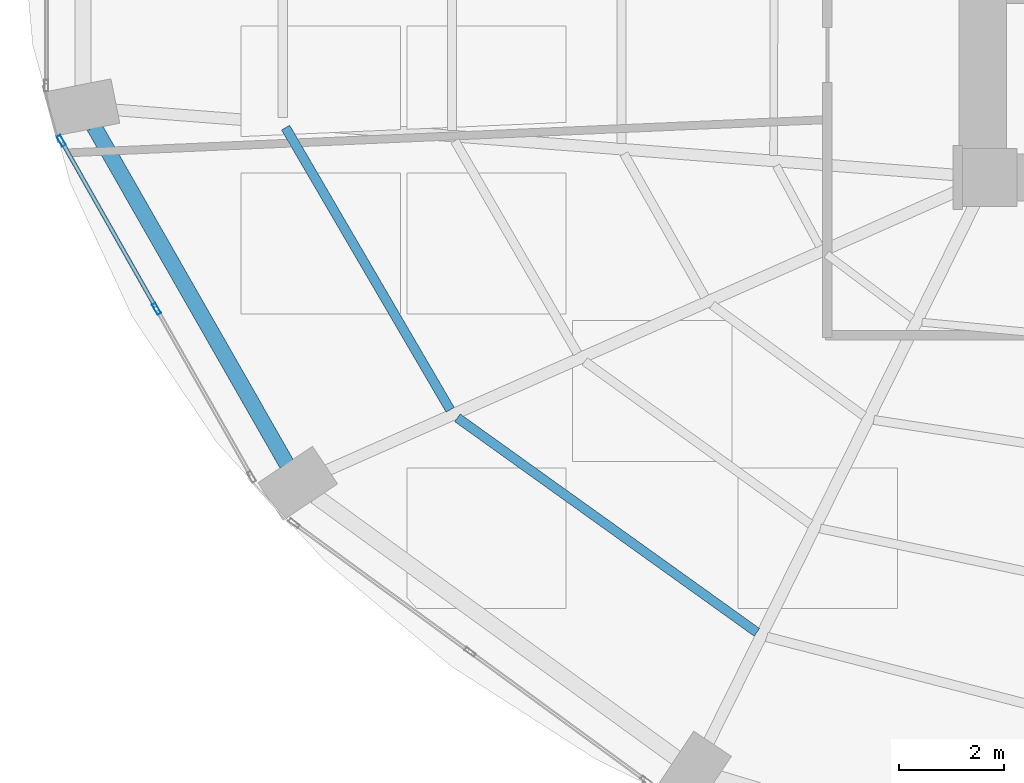
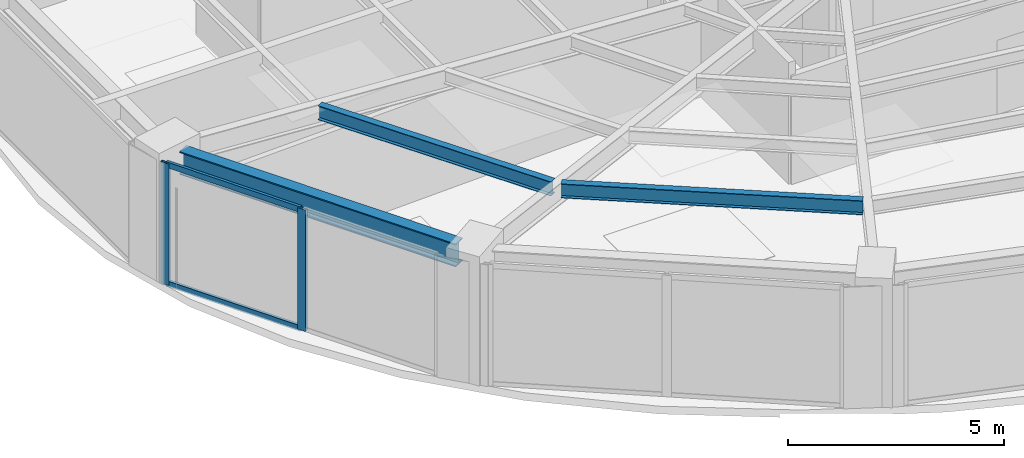
# One storey, part 3 of 24: 4 members, 3 beams, 1 element without a shape of its own.
"""IFC4 building model written with IfcOpenShell, lengths in metres."""

from ifc_helpers import new_model, si_unit, direction, frame, origin, origin_2d, place, context, subcontext, project, spatial, hollow_rectangle, i_section, extrude, material, layer, layer_set, material_profile, profile_set, type_object, element, aggregate, save


model = new_model("IFC4")

# Units and contexts
model_context = context("Model", 3, precision=1e-05, world=origin(), true_north=direction((0.0, 1.0)))
body_context = subcontext(model_context, "Body", "Model", "MODEL_VIEW")
ifc_project = project(units=[si_unit("LENGTHUNIT", "METRE"), si_unit("AREAUNIT", "SQUARE_METRE"), si_unit("VOLUMEUNIT", "CUBIC_METRE"), si_unit("PLANEANGLEUNIT", "RADIAN"), si_unit("MASSUNIT", "GRAM", prefix="KILO")], contexts=[model_context])

# Site, building, storey
site_placement = place(None, origin())
site = spatial("IfcSite", under=ifc_project, at=site_placement, CompositionType="ELEMENT")
building_placement = place(site_placement, origin())
building = spatial("IfcBuilding", under=site, at=building_placement, Name="Lazwardi Medical Tower", CompositionType="ELEMENT")
storey_placement = place(building_placement, frame((0.0, 0.0, 36.14404296875)))
storey = spatial("IfcBuildingStorey", under=building, at=storey_placement, Name="L08", CompositionType="ELEMENT", Elevation=36.14404296875)

# Beams
ifc_material_1 = material(Name="Steel S355", Category="steel")
ifc_material_profile_1 = material_profile(ifc_material_1, i_section(OverallWidth=0.300048828125, OverallDepth=0.64990234375, WebThickness=0.01611328125, FlangeThickness=0.031005859375, at=origin_2d()), Name="HEB 650")
ifc_profile_set_1 = profile_set([ifc_material_profile_1], Name="Steel S355")
beam_type_1 = type_object("IfcBeamType", Name="BM-RB-Z1", PredefinedType="BEAM", material=ifc_profile_set_1)
beam_1_placement = place(storey_placement, frame((9.408203125, 21.36767578125, 3.10302734375), z_axis=(0.49581512241, -0.868428099724, 0.0), x_axis=(0.868428099724, 0.49581512241, 0.0)))
element("IfcBeam", 1, at=beam_1_placement, inside=storey, type_object=beam_type_1, Name="Ring beam RB-02 B13 L08", PredefinedType="BEAM", context=body_context, shape_type="SweptSolid", body=[
    extrude(i_section(OverallWidth=0.300048828125, OverallDepth=0.64990234375, WebThickness=0.01611328125, FlangeThickness=0.031005859375, at=origin_2d()), origin(), (0.0, 0.0, 1.0), 7.389404296875),
])
ifc_material_profile_2 = material_profile(ifc_material_1, i_section(OverallWidth=0.179931640625, OverallDepth=0.39990234375, WebThickness=0.008544921875, FlangeThickness=0.013427734375, at=origin_2d()), Name="IPE 400")
ifc_profile_set_2 = profile_set([ifc_material_profile_2], Name="Steel S355")
beam_type_2 = type_object("IfcBeamType", Name="BM-SJ-01", PredefinedType="JOIST", material=ifc_profile_set_2)
beam_2_placement = place(storey_placement, frame((13.048828125, 21.34765625, 3.22802734375), z_axis=(0.503846579557, -0.863793160582, 0.0), x_axis=(0.863793160582, 0.503846579557, 0.0)))
element("IfcBeam", 2, at=beam_2_placement, inside=storey, type_object=beam_type_2, Name="Secondary joist SJ-01 R1 B13 L08", PredefinedType="JOIST", context=body_context, shape_type="SweptSolid", body=[
    extrude(i_section(OverallWidth=0.179931640625, OverallDepth=0.39990234375, WebThickness=0.008544921875, FlangeThickness=0.013427734375, at=origin_2d()), origin(), (0.0, 0.0, 1.0), 6.20947265625),
])
beam_3_placement = place(storey_placement, frame((16.31591796875, 15.83203125, 3.22802734375), z_axis=(0.812901036873, -0.582401840872, 0.0), x_axis=(0.582401840872, 0.812901036873, 0.0)))
element("IfcBeam", 3, at=beam_3_placement, inside=storey, type_object=beam_type_2, Name="Secondary joist SJ-01 R1 B14 L08", PredefinedType="JOIST", context=body_context, shape_type="SweptSolid", body=[
    extrude(i_section(OverallWidth=0.179931640625, OverallDepth=0.39990234375, WebThickness=0.008544921875, FlangeThickness=0.013427734375, at=origin_2d()), origin(), (0.0, 0.0, 1.0), 7.002197265625),
])

# Curtain wall, members
ifc_material_2 = material(Name="Anodised bronze aluminium and solar control glazing", Category="aluminium")
ifc_layer = layer(ifc_material_2, 0.199951171875)
ifc_layer_set = layer_set([ifc_layer], Name="Anodised bronze aluminium and solar control glazing")
curtain_wall_type = type_object("IfcCurtainWallType", Name="CW-SYS-02", PredefinedType="NOTDEFINED", material=ifc_layer_set)
curtain_wall_placement = place(storey_placement, origin())
curtain_wall = element("IfcCurtainWall", 4, at=curtain_wall_placement, inside=storey, type_object=curtain_wall_type, Name="L08 Unitised bronze curtain wall CW-02", PredefinedType="NOTDEFINED")
ifc_material_3 = material(Name="Anodised bronze aluminium", Category="aluminium")
ifc_material_profile_3 = material_profile(ifc_material_3, hollow_rectangle(XDim=0.074951171875, YDim=0.219970703125, WallThickness=0.00390625, at=origin_2d()), Name="ALU-MULLION 220x75x4")
ifc_profile_set_3 = profile_set([ifc_material_profile_3], Name="Anodised bronze aluminium")
member_type_1 = type_object("IfcMemberType", Name="CW-MUL-01", PredefinedType="MULLION", material=ifc_profile_set_3)
member_1_placement = place(storey_placement, frame((8.785888671875, 21.09765625, 0.0), z_axis=(0.0, 0.0, 1.0), x_axis=(0.870111838823, 0.492854327303, 0.0)))
member_1 = element("IfcMember", 5, at=member_1_placement, type_object=member_type_1, Name="CW-02 mullion 1", PredefinedType="MULLION", context=body_context, shape_type="SweptSolid", body=[
    extrude(hollow_rectangle(XDim=0.074951171875, YDim=0.219970703125, WallThickness=0.00390625, at=origin_2d()), origin(), (0.0, 0.0, 1.0), 3.427978515625),
])
member_2_placement = place(storey_placement, frame((10.5947265625, 17.904541015625, 0.0), z_axis=(0.0, 0.0, 1.0), x_axis=(0.870111838823, 0.492854327303, 0.0)))
member_2 = element("IfcMember", 6, at=member_2_placement, type_object=member_type_1, Name="CW-02 mullion 2", PredefinedType="MULLION", context=body_context, shape_type="SweptSolid", body=[
    extrude(hollow_rectangle(XDim=0.074951171875, YDim=0.219970703125, WallThickness=0.00390625, at=origin_2d()), origin(), (0.0, 0.0, 1.0), 3.427978515625),
])
ifc_material_profile_4 = material_profile(ifc_material_3, hollow_rectangle(XDim=0.074951171875, YDim=0.159912109375, WallThickness=0.00390625, at=origin_2d()), Name="ALU-TRANSOM 160x75x4")
ifc_profile_set_4 = profile_set([ifc_material_profile_4], Name="Anodised bronze aluminium")
member_type_2 = type_object("IfcMemberType", Name="CW-TRN-01", PredefinedType="USERDEFINED", material=ifc_profile_set_4)
member_3_placement = place(storey_placement, frame((8.804443359375, 21.06494140625, 0.037353515625), z_axis=(0.492880614687, -0.870096948429, 0.0), x_axis=(0.870096948429, 0.492880614687, 0.0)))
member_3 = element("IfcMember", 7, at=member_3_placement, type_object=member_type_2, Name="CW-02 transom 1.1", ObjectType="TRANSOM", PredefinedType="USERDEFINED", context=body_context, shape_type="SweptSolid", body=[
    extrude(hollow_rectangle(XDim=0.074951171875, YDim=0.159912109375, WallThickness=0.00390625, at=origin_2d()), origin(), (0.0, 0.0, 1.0), 3.5947265625),
])
member_4_placement = place(storey_placement, frame((8.804443359375, 21.06494140625, 3.390380859375), z_axis=(0.492880614687, -0.870096948429, 0.0), x_axis=(0.870096948429, 0.492880614687, 0.0)))
member_4 = element("IfcMember", 8, at=member_4_placement, type_object=member_type_2, Name="CW-02 transom 1.2", ObjectType="TRANSOM", PredefinedType="USERDEFINED", context=body_context, shape_type="SweptSolid", body=[
    extrude(hollow_rectangle(XDim=0.074951171875, YDim=0.159912109375, WallThickness=0.00390625, at=origin_2d()), origin(), (0.0, 0.0, 1.0), 3.5947265625),
])
aggregate(curtain_wall, [member_1, member_2, member_3, member_4])

save(model, "model.ifc")
